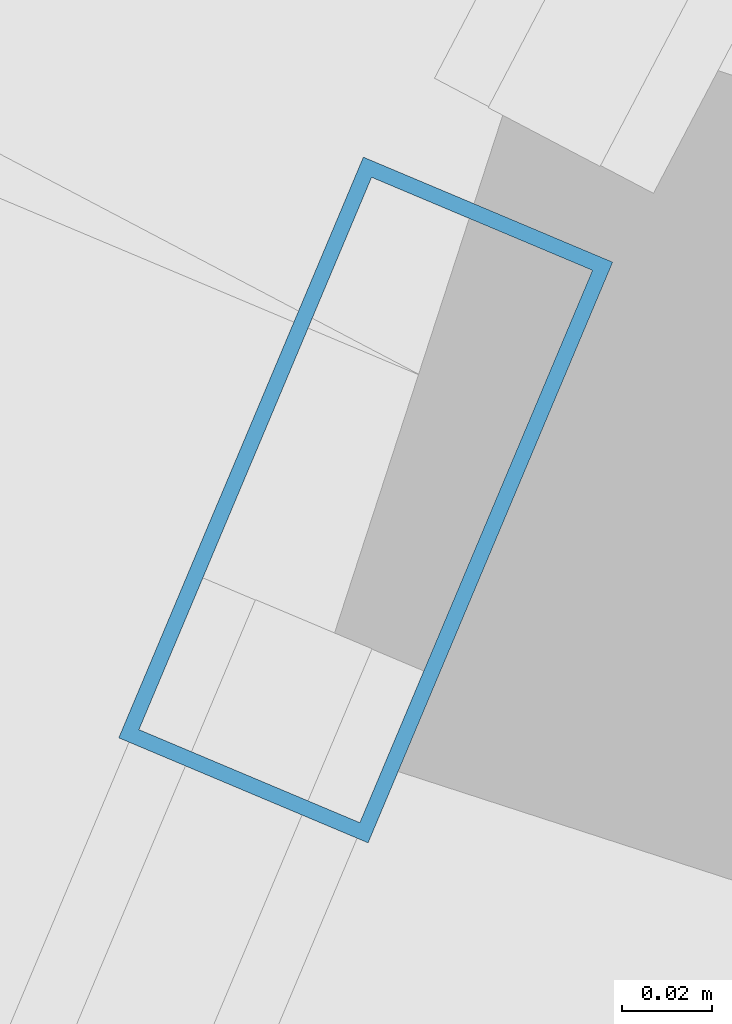
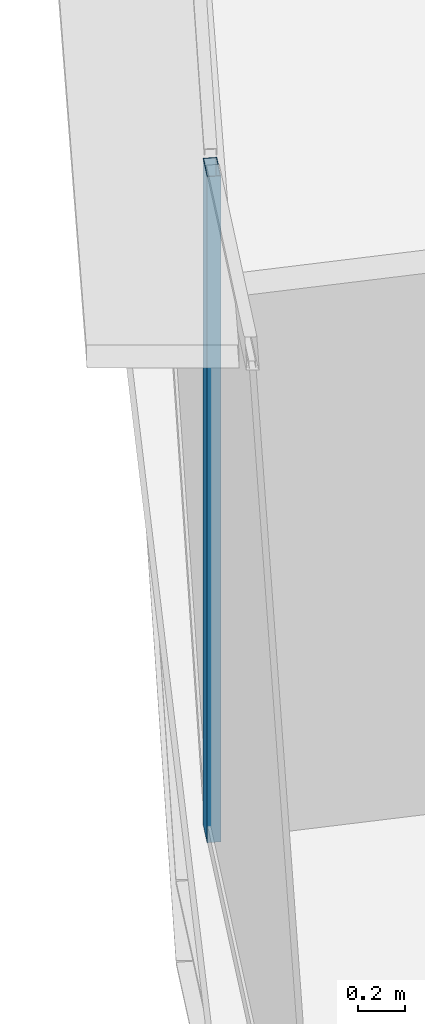
# One storey, part 8 of 34: 1 member, 1 element without a shape of its own.
"""IFC4 building model written with IfcOpenShell, lengths in metres."""

from ifc_helpers import new_model, si_unit, direction, frame, origin, origin_2d, place, context, subcontext, project, spatial, hollow_rectangle, extrude, source, transform, mapped, material, layer, layer_set, material_profile, profile_set, type_object, element, aggregate, save


model = new_model("IFC4")

# Units and contexts
model_context = context("Model", 3, precision=1e-05, world=origin(), true_north=direction((0.0, 1.0)))
body_context = subcontext(model_context, "Body", "Model", "MODEL_VIEW")
ifc_project = project(units=[si_unit("LENGTHUNIT", "METRE"), si_unit("AREAUNIT", "SQUARE_METRE"), si_unit("VOLUMEUNIT", "CUBIC_METRE"), si_unit("PLANEANGLEUNIT", "RADIAN"), si_unit("MASSUNIT", "GRAM", prefix="KILO"), si_unit("THERMODYNAMICTEMPERATUREUNIT", "KELVIN"), si_unit("POWERUNIT", "WATT")], contexts=[model_context])

# Site, building, storey
site_placement = place(None, origin())
site = spatial("IfcSite", under=ifc_project, at=site_placement, CompositionType="ELEMENT")
building_placement = place(site_placement, origin())
building = spatial("IfcBuilding", under=site, at=building_placement, Name="Yunzhuo Pagoda Commons", CompositionType="ELEMENT")
storey_placement = place(building_placement, frame((0.0, 0.0, 233.340087890625)))
storey = spatial("IfcBuildingStorey", under=building, at=storey_placement, Name="L58", CompositionType="ELEMENT", Elevation=233.340087890625)

# Curtain wall, member
ifc_material = material(Name="Anodized aluminium 6063-T6", Category="aluminium")
ifc_layer = layer(ifc_material, 0.139892578125)
ifc_layer_set = layer_set([ifc_layer], Name="Anodized aluminium 6063-T6")
curtain_wall_type = type_object("IfcCurtainWallType", Name="CW-HI High-Zone Ribbon Curtain Wall", PredefinedType="NOTDEFINED", material=ifc_layer_set)
curtain_wall_placement = place(storey_placement, origin())
curtain_wall = element("IfcCurtainWall", 1, at=curtain_wall_placement, inside=storey, type_object=curtain_wall_type, Name="L58 curtain wall CW-L58-F3B4", PredefinedType="NOTDEFINED")
ifc_material_profile = material_profile(ifc_material, hollow_rectangle(XDim=0.06005859375, YDim=0.139892578125, WallThickness=0.00341796875, at=origin_2d()), Name="Anodized aluminium 6063-T6")
ifc_profile_set = profile_set([ifc_material_profile], Name="Anodized aluminium 6063-T6")
member_type = type_object("IfcMemberType", Name="CW-HI-M Mullion RHS 140x60x3.5", PredefinedType="MULLION", material=ifc_profile_set)
shared_shape = source(origin(), body_context, "Body", "SweptSolid", [
    extrude(hollow_rectangle(XDim=0.06005859375, YDim=0.139892578125, WallThickness=0.00341796875, at=origin_2d()), origin(), (0.0, 0.0, 1.0), 3.469970703125),
])
member_placement = place(storey_placement, frame((19.14404296875, 43.04443359375, 0.0), z_axis=(0.0, 0.0, 1.0), x_axis=(0.92158893956, -0.388167266112, 0.0)))
member = element("IfcMember", 2, at=member_placement, type_object=member_type, Name="CW mullion 1", PredefinedType="MULLION", context=body_context, shape_type="MappedRepresentation", body=[
    mapped(shared_shape, transform((0.0, 0.0, 0.0), scale=1.0)),
])
aggregate(curtain_wall, [member])

save(model, "model.ifc")
